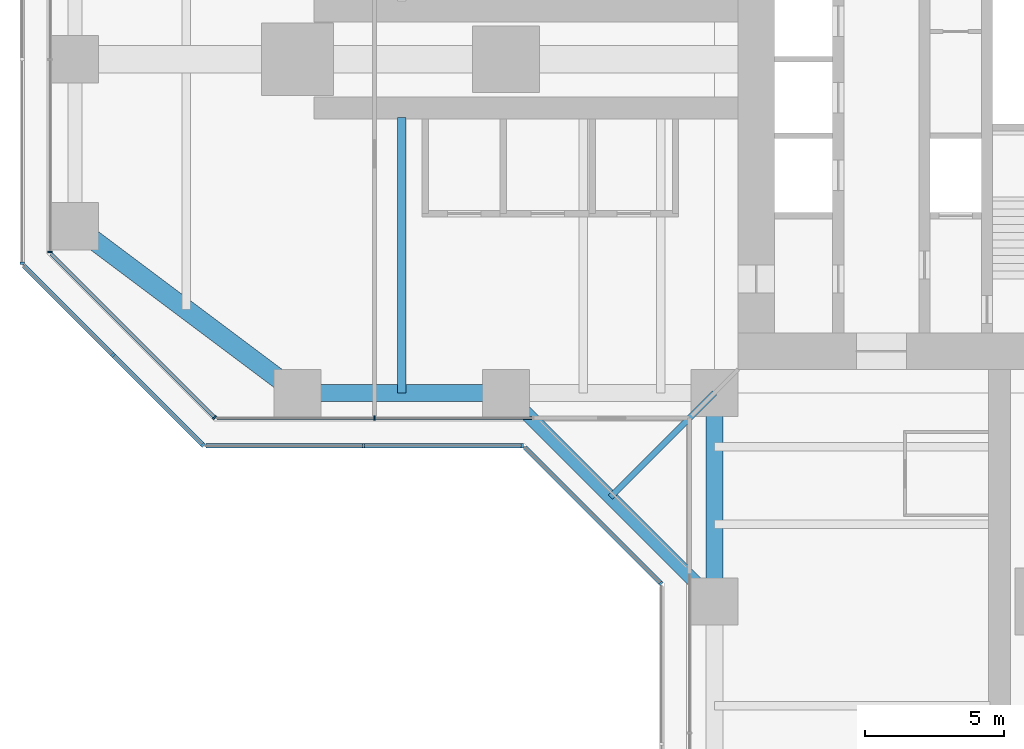
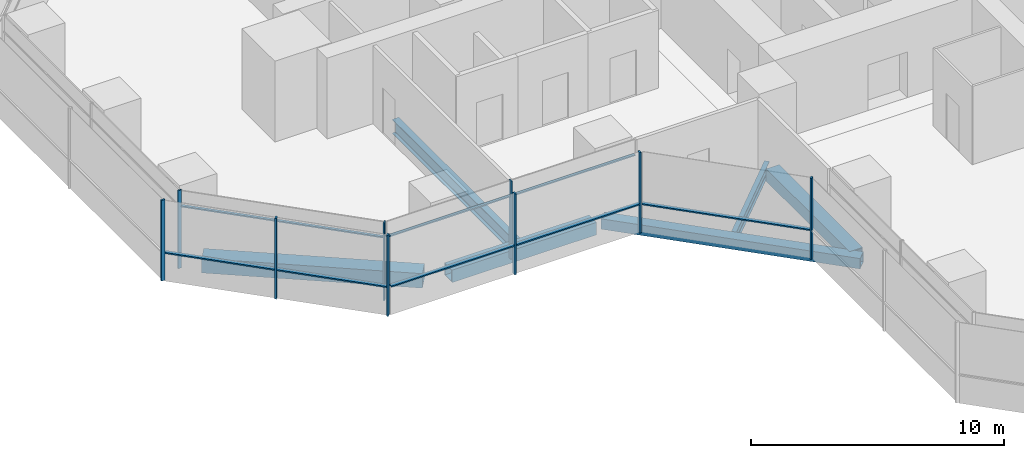
# One storey, part 3 of 22: 17 members, 6 beams, 7 elements without a shape of their own.
"""IFC4 building model written with IfcOpenShell, lengths in metres."""

from ifc_helpers import new_model, si_unit, direction, frame, origin, origin_2d, place, context, subcontext, project, spatial, rectangle, hollow_rectangle, i_section, extrude, material, material_profile, profile_set, type_object, element, aggregate, save


model = new_model("IFC4")

# Units and contexts
model_context = context("Model", 3, precision=1e-05, world=origin(), true_north=direction((0.0, 1.0)))
body_context = subcontext(model_context, "Body", "Model", "MODEL_VIEW")
ifc_project = project(units=[si_unit("LENGTHUNIT", "METRE"), si_unit("AREAUNIT", "SQUARE_METRE"), si_unit("VOLUMEUNIT", "CUBIC_METRE"), si_unit("PLANEANGLEUNIT", "RADIAN"), si_unit("MASSUNIT", "GRAM", prefix="KILO")], contexts=[model_context])

# Site, building, storey
site_placement = place(None, origin())
site = spatial("IfcSite", under=ifc_project, at=site_placement, CompositionType="ELEMENT")
building_placement = place(site_placement, origin())
building = spatial("IfcBuilding", under=site, at=building_placement, Name="Mizan Broadcast Tower", CompositionType="ELEMENT")
storey_placement = place(building_placement, frame((0.0, 0.0, 43.5)))
storey = spatial("IfcBuildingStorey", under=building, at=storey_placement, Name="L07", CompositionType="ELEMENT", Elevation=43.5)

# Beams
ifc_material_1 = material(Name="Steel S355", Category="steel")
ifc_material_profile_1 = material_profile(ifc_material_1, hollow_rectangle(XDim=0.5, YDim=0.5, WallThickness=0.030029296875, at=origin_2d()), Name="BOX 500x500x30")
ifc_profile_set_1 = profile_set([ifc_material_profile_1], Name="Steel S355")
beam_type_1 = type_object("IfcBeamType", Name="EDGE BEAM BOX 500x500x30", PredefinedType="SPANDREL", material=ifc_profile_set_1)
beam_1_placement = place(storey_placement, frame((-19.5, -12.0, -0.3798828125), z_axis=(0.707106781187, -0.707106781187, 0.0), x_axis=(0.707106781187, 0.707106781187, 0.0)))
element("IfcBeam", 1, at=beam_1_placement, inside=storey, type_object=beam_type_1, Name="Winter garden edge beam L07 W", PredefinedType="SPANDREL", context=body_context, shape_type="SweptSolid", body=[
    extrude(hollow_rectangle(XDim=0.5, YDim=0.5, WallThickness=0.030029296875, at=origin_2d()), origin(), (0.0, 0.0, 1.0), 10.606689453125),
])
ifc_material_2 = material(Name="Steel S355", Category="steel")
ifc_material_profile_2 = material_profile(ifc_material_2, hollow_rectangle(XDim=0.60009765625, YDim=0.60009765625, WallThickness=0.0400390625, at=origin_2d()), Name="BOX 600x600x40")
ifc_profile_set_2 = profile_set([ifc_material_profile_2], Name="Steel S355")
beam_type_2 = type_object("IfcBeamType", Name="EDGE BEAM BOX 600x600x40", PredefinedType="SPANDREL", material=ifc_profile_set_2)
for number, where, z_axis, x_axis, name in (
    (2, (-19.949951171875, -12.0, -0.429931640625), (-1.0, 0.0, 0.0), (0.0, -1.0, 0.0), "Edge beam BOX 600x600x40 L07 west arm"),
    (3, (-12.0, -12.449951171875, -0.429931640625), (0.0, -1.0, 0.0), (1.0, 0.0, 0.0), "Edge beam BOX 600x600x40 L07 south arm"),
):
    element("IfcBeam", number, at=place(storey_placement, frame(where, z_axis=z_axis, x_axis=x_axis)), inside=storey, type_object=beam_type_2, Name=name, PredefinedType="SPANDREL", context=body_context, shape_type="SweptSolid", body=[
        extrude(hollow_rectangle(XDim=0.60009765625, YDim=0.60009765625, WallThickness=0.0400390625, at=origin_2d()), origin(), (0.0, 0.0, 1.0), 6.60009765625),
    ])
ifc_material_3 = material(Name="Steel S355", Category="steel")
ifc_material_profile_3 = material_profile(ifc_material_3, hollow_rectangle(XDim=0.699951171875, YDim=0.699951171875, WallThickness=0.0400390625, at=origin_2d()), Name="BOX 700x700x40")
ifc_profile_set_3 = profile_set([ifc_material_profile_3], Name="Steel S355")
beam_type_3 = type_object("IfcBeamType", Name="EDGE BEAM BOX 700x700x40", PredefinedType="SPANDREL", material=ifc_profile_set_3)
beam_2_placement = place(storey_placement, frame((-27.47998046875, -11.639892578125, -0.47998046875), z_axis=(-0.800013316712, 0.599982243973, 0.0), x_axis=(-0.599982243973, -0.800013316712, 0.0)))
element("IfcBeam", 4, at=beam_2_placement, inside=storey, type_object=beam_type_3, Name="Edge beam BOX 700x700x40 L07 west arm", PredefinedType="SPANDREL", context=body_context, shape_type="SweptSolid", body=[
    extrude(hollow_rectangle(XDim=0.699951171875, YDim=0.699951171875, WallThickness=0.0400390625, at=origin_2d()), origin(), (0.0, 0.0, 1.0), 8.7998046875),
])

# Curtain wall, member
ifc_material_4 = material(Name="Aluminium framed glazing", Category="aluminium")
curtain_wall_type_1 = type_object("IfcCurtainWallType", Name="INNER SKIN LOW ZONE", PredefinedType="USERDEFINED", material=ifc_material_4)
curtain_wall_1_placement = place(storey_placement, origin())
curtain_wall_1 = element("IfcCurtainWall", 5, at=curtain_wall_1_placement, inside=storey, type_object=curtain_wall_type_1, Name="Inner skin low zone L07 W end", ObjectType="INNER SKIN LOW ZONE", PredefinedType="USERDEFINED")
ifc_material_5 = material(Name="Aluminium, pale anodised", Category="aluminium")
ifc_material_profile_4 = material_profile(ifc_material_5, rectangle(XDim=0.159912109375, YDim=0.06005859375, at=origin_2d()), Name="MULLION 160x60")
ifc_profile_set_4 = profile_set([ifc_material_profile_4], Name="Aluminium, pale anodised")
member_type_1 = type_object("IfcMemberType", Name="INNER SKIN MULLION 60x160", PredefinedType="MULLION", material=ifc_profile_set_4)
member_1_placement = place(storey_placement, frame((-35.89990234375, -6.928466796875, 0.0), z_axis=(0.0, 0.0, 1.0), x_axis=(1.0, 0.0, 0.0)))
member_1 = element("IfcMember", 6, at=member_1_placement, type_object=member_type_1, Name="Inner skin low zone L07 W end mullion 3", PredefinedType="MULLION", context=body_context, shape_type="SweptSolid", body=[
    extrude(rectangle(XDim=0.159912109375, YDim=0.06005859375, at=origin_2d()), origin(), (0.0, 0.0, 1.0), 3.77001953125),
])
aggregate(curtain_wall_1, [member_1])

curtain_wall_2_placement = place(storey_placement, origin())
curtain_wall_2 = element("IfcCurtainWall", 7, at=curtain_wall_2_placement, inside=storey, type_object=curtain_wall_type_1, Name="Inner skin low zone L07 W chamfer", ObjectType="INNER SKIN LOW ZONE", PredefinedType="USERDEFINED")
member_2_placement = place(storey_placement, frame((-29.979736328125, -12.87890625, 0.0), z_axis=(0.0, 0.0, 1.0), x_axis=(0.707106781187, 0.707106781187, 0.0)))
member_2 = element("IfcMember", 8, at=member_2_placement, type_object=member_type_1, Name="Inner skin low zone L07 W chamfer mullion 2", PredefinedType="MULLION", context=body_context, shape_type="SweptSolid", body=[
    extrude(rectangle(XDim=0.159912109375, YDim=0.06005859375, at=origin_2d()), origin(), (0.0, 0.0, 1.0), 3.77001953125),
])

curtain_wall_3_placement = place(storey_placement, origin())
curtain_wall_3 = element("IfcCurtainWall", 9, at=curtain_wall_3_placement, inside=storey, type_object=curtain_wall_type_1, Name="Inner skin low zone L07 W side", ObjectType="INNER SKIN LOW ZONE", PredefinedType="USERDEFINED")
member_3_placement = place(storey_placement, frame((-24.229248046875, -12.89990234375, 0.0), z_axis=(0.0, 0.0, 1.0), x_axis=(0.0, 1.0, 0.0)))
member_3 = element("IfcMember", 10, at=member_3_placement, type_object=member_type_1, Name="Inner skin low zone L07 W side mullion 2", PredefinedType="MULLION", context=body_context, shape_type="SweptSolid", body=[
    extrude(rectangle(XDim=0.159912109375, YDim=0.06005859375, at=origin_2d()), origin(), (0.0, 0.0, 1.0), 3.77001953125),
])

# Member
ifc_material_6 = material(Name="Aluminium, pale anodised", Category="aluminium")
ifc_material_profile_5 = material_profile(ifc_material_6, rectangle(XDim=0.1201171875, YDim=0.06005859375, at=origin_2d()), Name="TRANSOM 120x60")
ifc_profile_set_5 = profile_set([ifc_material_profile_5], Name="Aluminium, pale anodised")
member_type_2 = type_object("IfcMemberType", Name="INNER SKIN TRANSOM 60x120", PredefinedType="USERDEFINED", material=ifc_profile_set_5)
member_4_placement = place(storey_placement, frame((-35.857666015625, -7.0009765625, 3.030029296875), z_axis=(0.707106781187, -0.707106781187, 0.0), x_axis=(0.707106781187, 0.707106781187, 0.0)))
member_4 = element("IfcMember", 11, at=member_4_placement, type_object=member_type_2, Name="Inner skin low zone L07 W chamfer transom 1.1", ObjectType="TRANSOM", PredefinedType="USERDEFINED", context=body_context, shape_type="SweptSolid", body=[
    extrude(rectangle(XDim=0.1201171875, YDim=0.06005859375, at=origin_2d()), origin(), (0.0, 0.0, 1.0), 8.28271484375),
])

aggregate(curtain_wall_2, [member_2, member_4])

member_5_placement = place(storey_placement, frame((-29.898681640625, -12.89990234375, 3.030029296875), z_axis=(1.0, 0.0, 0.0), x_axis=(0.0, 1.0, 0.0)))
member_5 = element("IfcMember", 12, at=member_5_placement, type_object=member_type_2, Name="Inner skin low zone L07 W side transom 1.1", ObjectType="TRANSOM", PredefinedType="USERDEFINED", context=body_context, shape_type="SweptSolid", body=[
    extrude(rectangle(XDim=0.1201171875, YDim=0.06005859375, at=origin_2d()), origin(), (0.0, 0.0, 1.0), 5.639404296875),
])

member_6_placement = place(storey_placement, frame((-24.19921875, -12.89990234375, 3.030029296875), z_axis=(1.0, 0.0, 0.0), x_axis=(0.0, 1.0, 0.0)))
member_6 = element("IfcMember", 13, at=member_6_placement, type_object=member_type_2, Name="Inner skin low zone L07 W side transom 2.1", ObjectType="TRANSOM", PredefinedType="USERDEFINED", context=body_context, shape_type="SweptSolid", body=[
    extrude(rectangle(XDim=0.1201171875, YDim=0.06005859375, at=origin_2d()), origin(), (0.0, 0.0, 1.0), 5.63916015625),
])

aggregate(curtain_wall_3, [member_3, member_5, member_6])

# Curtain wall, member
ifc_material_7 = material(Name="Aluminium framed glazing", Category="aluminium")
curtain_wall_type_2 = type_object("IfcCurtainWallType", Name="OUTER SKIN", PredefinedType="USERDEFINED", material=ifc_material_7)
curtain_wall_4_placement = place(storey_placement, origin())
curtain_wall_4 = element("IfcCurtainWall", 14, at=curtain_wall_4_placement, inside=storey, type_object=curtain_wall_type_2, Name="Outer skin L07 W end", ObjectType="OUTER SKIN", PredefinedType="USERDEFINED")
ifc_material_8 = material(Name="Aluminium, pale anodised", Category="aluminium")
ifc_material_profile_6 = material_profile(ifc_material_8, rectangle(XDim=0.159912109375, YDim=0.080078125, at=origin_2d()), Name="MULLION 160x80")
ifc_profile_set_6 = profile_set([ifc_material_profile_6], Name="Aluminium, pale anodised")
member_type_3 = type_object("IfcMemberType", Name="OUTER SKIN MULLION 80x160", PredefinedType="MULLION", material=ifc_profile_set_6)
member_7_placement = place(storey_placement, frame((-36.89990234375, -7.332763671875, 0.0), z_axis=(0.0, 0.0, 1.0), x_axis=(1.0, 0.0, 0.0)))
member_7 = element("IfcMember", 15, at=member_7_placement, type_object=member_type_3, Name="Outer skin L07 W end mullion 3", PredefinedType="MULLION", context=body_context, shape_type="SweptSolid", body=[
    extrude(rectangle(XDim=0.159912109375, YDim=0.080078125, at=origin_2d()), origin(), (0.0, 0.0, 1.0), 3.89990234375),
])
aggregate(curtain_wall_4, [member_7])

# Curtain wall, members
curtain_wall_5_placement = place(storey_placement, origin())
curtain_wall_5 = element("IfcCurtainWall", 16, at=curtain_wall_5_placement, inside=storey, type_object=curtain_wall_type_2, Name="Outer skin L07 W chamfer", ObjectType="OUTER SKIN", PredefinedType="USERDEFINED")
member_8_placement = place(storey_placement, frame((-33.636474609375, -10.636474609375, 0.0), z_axis=(0.0, 0.0, 1.0), x_axis=(0.707106781187, 0.707106781187, 0.0)))
member_8 = element("IfcMember", 17, at=member_8_placement, type_object=member_type_3, Name="Outer skin L07 W chamfer mullion 2", PredefinedType="MULLION", context=body_context, shape_type="SweptSolid", body=[
    extrude(rectangle(XDim=0.159912109375, YDim=0.080078125, at=origin_2d()), origin(), (0.0, 0.0, 1.0), 3.89990234375),
])
member_9_placement = place(storey_placement, frame((-30.401123046875, -13.871826171875, 0.0), z_axis=(0.0, 0.0, 1.0), x_axis=(0.707106781187, 0.707106781187, 0.0)))
member_9 = element("IfcMember", 18, at=member_9_placement, type_object=member_type_3, Name="Outer skin L07 W chamfer mullion 3", PredefinedType="MULLION", context=body_context, shape_type="SweptSolid", body=[
    extrude(rectangle(XDim=0.159912109375, YDim=0.080078125, at=origin_2d()), origin(), (0.0, 0.0, 1.0), 3.89990234375),
])

curtain_wall_6_placement = place(storey_placement, origin())
curtain_wall_6 = element("IfcCurtainWall", 19, at=curtain_wall_6_placement, inside=storey, type_object=curtain_wall_type_2, Name="Outer skin L07 W side", ObjectType="OUTER SKIN", PredefinedType="USERDEFINED")
member_10_placement = place(storey_placement, frame((-24.622802734375, -13.89990234375, 0.0), z_axis=(0.0, 0.0, 1.0), x_axis=(0.0, 1.0, 0.0)))
member_10 = element("IfcMember", 20, at=member_10_placement, type_object=member_type_3, Name="Outer skin L07 W side mullion 2", PredefinedType="MULLION", context=body_context, shape_type="SweptSolid", body=[
    extrude(rectangle(XDim=0.159912109375, YDim=0.080078125, at=origin_2d()), origin(), (0.0, 0.0, 1.0), 3.89990234375),
])
member_11_placement = place(storey_placement, frame((-18.912841796875, -13.89990234375, 0.0), z_axis=(0.0, 0.0, 1.0), x_axis=(0.0, 1.0, 0.0)))
member_11 = element("IfcMember", 21, at=member_11_placement, type_object=member_type_3, Name="Outer skin L07 W side mullion 3", PredefinedType="MULLION", context=body_context, shape_type="SweptSolid", body=[
    extrude(rectangle(XDim=0.159912109375, YDim=0.080078125, at=origin_2d()), origin(), (0.0, 0.0, 1.0), 3.89990234375),
])

# Curtain wall, member
curtain_wall_7_placement = place(storey_placement, origin())
curtain_wall_7 = element("IfcCurtainWall", 22, at=curtain_wall_7_placement, inside=storey, type_object=curtain_wall_type_2, Name="Outer skin L07 W chamfer", ObjectType="OUTER SKIN", PredefinedType="USERDEFINED")
member_12_placement = place(storey_placement, frame((-13.92822265625, -18.844482421875, 0.0), z_axis=(0.0, 0.0, 1.0), x_axis=(0.707106781187, 0.707106781187, 0.0)))
member_12 = element("IfcMember", 23, at=member_12_placement, type_object=member_type_3, Name="Outer skin L07 W chamfer mullion 2", PredefinedType="MULLION", context=body_context, shape_type="SweptSolid", body=[
    extrude(rectangle(XDim=0.159912109375, YDim=0.080078125, at=origin_2d()), origin(), (0.0, 0.0, 1.0), 3.89990234375),
])

# Member
ifc_material_9 = material(Name="Aluminium, pale anodised", Category="aluminium")
ifc_material_profile_7 = material_profile(ifc_material_9, rectangle(XDim=0.159912109375, YDim=0.06005859375, at=origin_2d()), Name="TRANSOM 160x60")
ifc_profile_set_7 = profile_set([ifc_material_profile_7], Name="Aluminium, pale anodised")
member_type_4 = type_object("IfcMemberType", Name="OUTER SKIN TRANSOM 60x160", PredefinedType="USERDEFINED", material=ifc_profile_set_7)
member_13_placement = place(storey_placement, frame((-36.843505859375, -7.429443359375, 1.39990234375), z_axis=(0.707106781187, -0.707106781187, 0.0), x_axis=(0.707106781187, 0.707106781187, 0.0)))
member_13 = element("IfcMember", 24, at=member_13_placement, type_object=member_type_4, Name="Outer skin L07 W chamfer transom 1.1", ObjectType="TRANSOM", PredefinedType="USERDEFINED", context=body_context, shape_type="SweptSolid", body=[
    extrude(rectangle(XDim=0.159912109375, YDim=0.06005859375, at=origin_2d()), origin(), (0.0, 0.0, 1.0), 4.495361328125),
])

member_14_placement = place(storey_placement, frame((-33.608154296875, -10.664794921875, 1.39990234375), z_axis=(0.707106781187, -0.707106781187, 0.0), x_axis=(0.707106781187, 0.707106781187, 0.0)))
member_14 = element("IfcMember", 25, at=member_14_placement, type_object=member_type_4, Name="Outer skin L07 W chamfer transom 2.1", ObjectType="TRANSOM", PredefinedType="USERDEFINED", context=body_context, shape_type="SweptSolid", body=[
    extrude(rectangle(XDim=0.159912109375, YDim=0.06005859375, at=origin_2d()), origin(), (0.0, 0.0, 1.0), 4.495361328125),
])

aggregate(curtain_wall_5, [member_8, member_9, member_13, member_14])

member_15_placement = place(storey_placement, frame((-30.292724609375, -13.89990234375, 1.39990234375), z_axis=(1.0, 0.0, 0.0), x_axis=(0.0, 1.0, 0.0)))
member_15 = element("IfcMember", 26, at=member_15_placement, type_object=member_type_4, Name="Outer skin L07 W side transom 1.1", ObjectType="TRANSOM", PredefinedType="USERDEFINED", context=body_context, shape_type="SweptSolid", body=[
    extrude(rectangle(XDim=0.159912109375, YDim=0.06005859375, at=origin_2d()), origin(), (0.0, 0.0, 1.0), 5.6298828125),
])

member_16_placement = place(storey_placement, frame((-24.582763671875, -13.89990234375, 1.39990234375), z_axis=(1.0, 0.0, 0.0), x_axis=(0.0, 1.0, 0.0)))
member_16 = element("IfcMember", 27, at=member_16_placement, type_object=member_type_4, Name="Outer skin L07 W side transom 2.1", ObjectType="TRANSOM", PredefinedType="USERDEFINED", context=body_context, shape_type="SweptSolid", body=[
    extrude(rectangle(XDim=0.159912109375, YDim=0.06005859375, at=origin_2d()), origin(), (0.0, 0.0, 1.0), 5.6298828125),
])

aggregate(curtain_wall_6, [member_10, member_11, member_15, member_16])

member_17_placement = place(storey_placement, frame((-18.816162109375, -13.95654296875, 1.39990234375), z_axis=(0.707106781187, -0.707106781187, 0.0), x_axis=(0.707106781187, 0.707106781187, 0.0)))
member_17 = element("IfcMember", 28, at=member_17_placement, type_object=member_type_4, Name="Outer skin L07 W chamfer transom 1.1", ObjectType="TRANSOM", PredefinedType="USERDEFINED", context=body_context, shape_type="SweptSolid", body=[
    extrude(rectangle(XDim=0.159912109375, YDim=0.06005859375, at=origin_2d()), origin(), (0.0, 0.0, 1.0), 6.87255859375),
])

aggregate(curtain_wall_7, [member_12, member_17])

# Beams
ifc_material_10 = material(Name="Steel S355", Category="steel")
ifc_material_profile_8 = material_profile(ifc_material_10, i_section(OverallWidth=0.300048828125, OverallDepth=0.68994140625, WebThickness=0.014404296875, FlangeThickness=0.027099609375, FilletRadius=0.027099609375, at=origin_2d()), Name="HEA 700")
ifc_profile_set_8 = profile_set([ifc_material_profile_8], Name="Steel S355")
beam_type_4 = type_object("IfcBeamType", Name="SECONDARY BEAM HEA 700", PredefinedType="JOIST", material=ifc_profile_set_8)
beam_3_placement = place(storey_placement, frame((-23.25, -12.0, -0.47509765625), z_axis=(0.0, 1.0, 0.0), x_axis=(-1.0, 0.0, 0.0)))
element("IfcBeam", 29, at=beam_3_placement, inside=storey, type_object=beam_type_4, Name="Secondary beam HEA 700 L07 west arm", PredefinedType="JOIST", context=body_context, shape_type="SweptSolid", body=[
    extrude(i_section(OverallWidth=0.300048828125, OverallDepth=0.68994140625, WebThickness=0.014404296875, FlangeThickness=0.027099609375, FilletRadius=0.027099609375, at=origin_2d()), origin(), (0.0, 0.0, 1.0), 9.89990234375),
])
ifc_material_11 = material(Name="Steel S355", Category="steel")
ifc_material_profile_9 = material_profile(ifc_material_11, i_section(OverallWidth=0.2099609375, OverallDepth=0.550048828125, WebThickness=0.010986328125, FlangeThickness=0.01708984375, FilletRadius=0.02392578125, at=origin_2d()), Name="IPE 550")
ifc_profile_set_9 = profile_set([ifc_material_profile_9], Name="Steel S355")
beam_type_5 = type_object("IfcBeamType", Name="SECONDARY BEAM IPE 550", PredefinedType="JOIST", material=ifc_profile_set_9)
beam_4_placement = place(storey_placement, frame((-12.0, -12.0, -0.405029296875), z_axis=(-0.707106781187, -0.707106781187, 0.0), x_axis=(0.707106781187, -0.707106781187, 0.0)))
element("IfcBeam", 30, at=beam_4_placement, inside=storey, type_object=beam_type_5, Name="Winter garden beam L07 W", PredefinedType="JOIST", context=body_context, shape_type="SweptSolid", body=[
    extrude(i_section(OverallWidth=0.2099609375, OverallDepth=0.550048828125, WebThickness=0.010986328125, FlangeThickness=0.01708984375, FilletRadius=0.02392578125, at=origin_2d()), origin(), (0.0, 0.0, 1.0), 5.30322265625),
])

save(model, "model.ifc")
